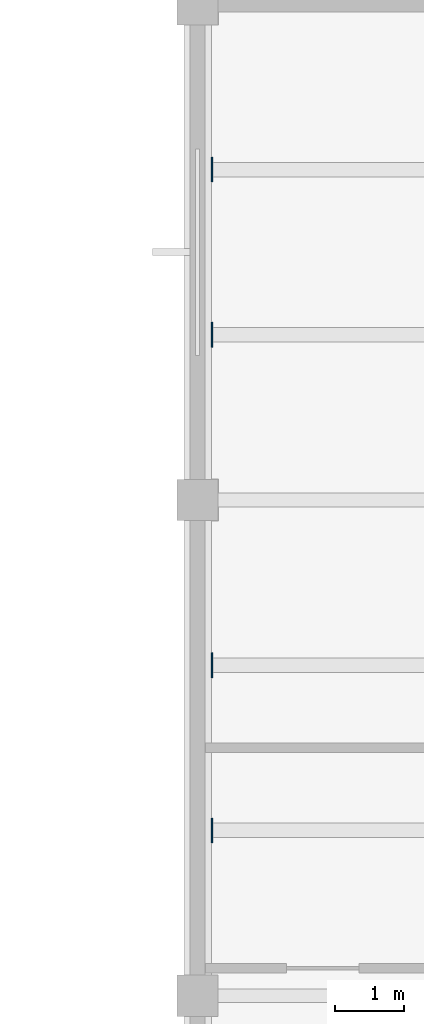
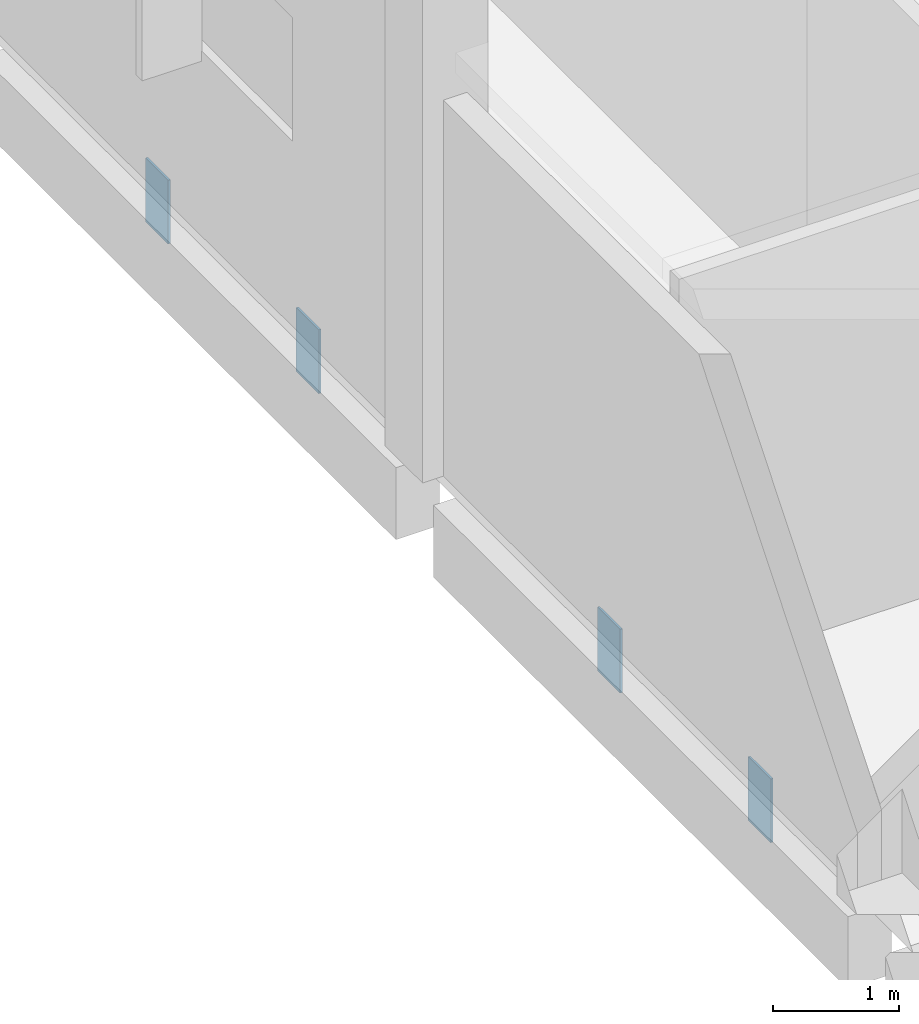
# One storey, part 16 of 20: 4 plates.
"""IFC4 building model written with IfcOpenShell, lengths in metres."""

from ifc_helpers import new_model, si_unit, direction, frame, origin, origin_2d, place, context, subcontext, project, spatial, rectangle, extrude, material, layer, layer_set, type_object, element, save


model = new_model("IFC4")

# Units and contexts
model_context = context("Model", 3, precision=1e-05, world=origin(), true_north=direction((0.0, 1.0)))
body_context = subcontext(model_context, "Body", "Model", "MODEL_VIEW")
ifc_project = project(units=[si_unit("LENGTHUNIT", "METRE"), si_unit("AREAUNIT", "SQUARE_METRE"), si_unit("VOLUMEUNIT", "CUBIC_METRE"), si_unit("PLANEANGLEUNIT", "RADIAN"), si_unit("MASSUNIT", "GRAM", prefix="KILO"), si_unit("THERMODYNAMICTEMPERATUREUNIT", "KELVIN"), si_unit("POWERUNIT", "WATT")], contexts=[model_context])

# Site, building, storey
site_placement = place(None, origin())
site = spatial("IfcSite", under=ifc_project, at=site_placement, CompositionType="ELEMENT")
building_placement = place(site_placement, origin())
building = spatial("IfcBuilding", under=site, at=building_placement, Name="Kaldorven Railside Theatre", CompositionType="ELEMENT")
storey_placement = place(building_placement, frame((0.0, 0.0, 23.10009765625)))
storey = spatial("IfcBuildingStorey", under=building, at=storey_placement, Name="L05", CompositionType="ELEMENT", Elevation=23.10009765625)

# Plates
ifc_material = material(Name="Steel S355", Category="steel")
ifc_layer = layer(ifc_material, 0.02001953125, Name="Steel S355")
ifc_layer_set = layer_set([ifc_layer], Name="Steel S355")
plate_type = type_object("IfcPlateType", Name="PLT-GUS-20", PredefinedType="USERDEFINED", material=ifc_layer_set)
for number, where, z_axis, x_axis, name in (
    (1, (109.0, 122.39990234375, -0.525146484375), (1.0, 0.0, 0.0), (0.0, 1.0, 0.0), "L05 Core Wall Cast-In Embed Plate PL-W1224"),
    (2, (109.0, 124.800048828125, -0.525146484375), (1.0, 0.0, 0.0), (0.0, 1.0, 0.0), "L05 Core Wall Cast-In Embed Plate PL-W1248"),
    (3, (109.0, 129.60009765625, -0.525146484375), (1.0, 0.0, 0.0), (0.0, 1.0, 0.0), "L05 Core Wall Cast-In Embed Plate PL-W1296"),
    (4, (109.0, 132.0, -0.525146484375), (1.0, 0.0, 0.0), (0.0, 1.0, 0.0), "L05 Core Wall Cast-In Embed Plate PL-W1320"),
):
    element("IfcPlate", number, at=place(storey_placement, frame(where, z_axis=z_axis, x_axis=x_axis)), inside=storey, type_object=plate_type, Name=name, ObjectType="GUSSET PLATE", PredefinedType="USERDEFINED", context=body_context, shape_type="SweptSolid", body=[
        extrude(rectangle(XDim=0.360107421875, YDim=0.6201171875, at=origin_2d()), origin(), (0.0, 0.0, 1.0), 0.02001953125),
    ])

save(model, "model.ifc")
